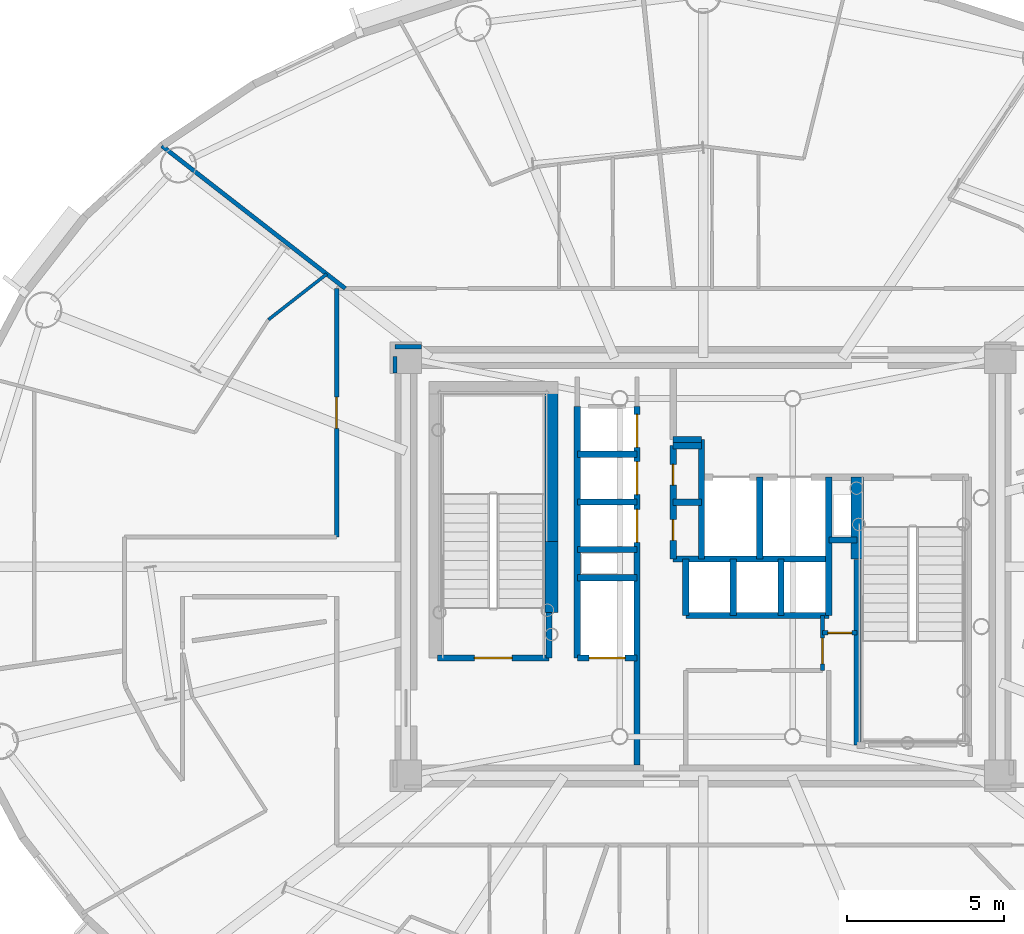
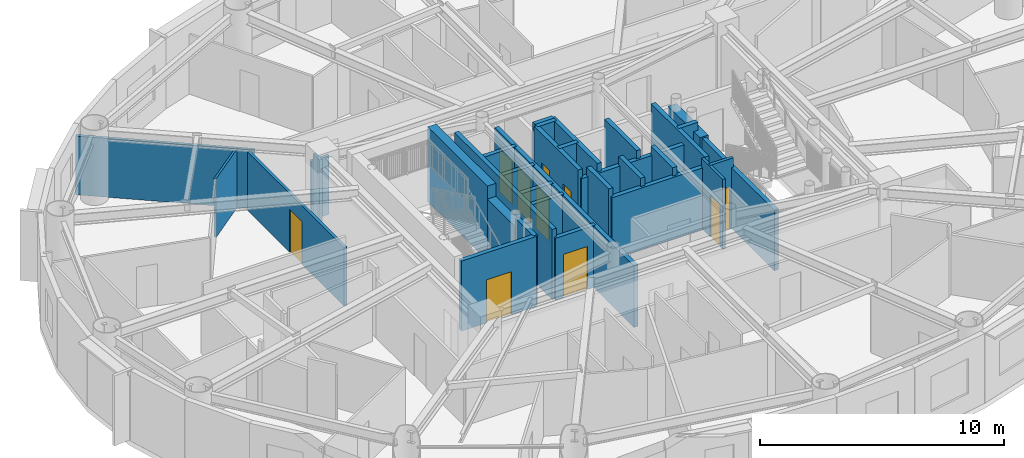
# One storey, part 10 of 20: 33 walls, 10 doors, 10 openings.
"""IFC4 building model written with IfcOpenShell, lengths in metres."""

from ifc_helpers import new_model, si_unit, direction, frame, frame_2d, origin, origin_2d, place, context, subcontext, project, spatial, rectangle, extrude, source, transform, mapped, material, layer, layer_set, type_object, element, fill, save


model = new_model("IFC4")

# Units and contexts
model_context = context("Model", 3, precision=1e-05, world=origin(), true_north=direction((0.0, 1.0)))
body_context = subcontext(model_context, "Body", "Model", "MODEL_VIEW")
ifc_project = project(units=[si_unit("LENGTHUNIT", "METRE"), si_unit("AREAUNIT", "SQUARE_METRE"), si_unit("VOLUMEUNIT", "CUBIC_METRE"), si_unit("PLANEANGLEUNIT", "RADIAN"), si_unit("MASSUNIT", "GRAM", prefix="KILO")], contexts=[model_context])

# Site, building, storey
site_placement = place(None, origin())
site = spatial("IfcSite", under=ifc_project, at=site_placement, CompositionType="ELEMENT")
building_placement = place(site_placement, origin())
building = spatial("IfcBuilding", under=site, at=building_placement, Name="Linh Dai School and Residence Tower", CompositionType="ELEMENT")
storey_placement = place(building_placement, frame((0.0, 0.0, 232.800048828125)))
storey = spatial("IfcBuildingStorey", under=building, at=storey_placement, Name="L57", CompositionType="ELEMENT", Elevation=232.800048828125)

# Wall
ifc_material_1 = material(Name="Autoclaved Aerated Concrete Blockwork", Category="masonry")
ifc_layer_1 = layer(ifc_material_1, 0.135009765625)
ifc_layer_set_1 = layer_set([ifc_layer_1], Name="Autoclaved Aerated Concrete Blockwork")
wall_type_1 = type_object("IfcWallType", Name="IW-CORR-135-EI90", PredefinedType="PARTITIONING", material=ifc_layer_set_1)
wall_1_placement = place(storey_placement, frame((18.79052734375, 40.38720703125, 0.0), z_axis=(0.0, 0.0, 1.0), x_axis=(0.789302404173, -0.614004653701, 0.0)))
element("IfcWall", 1, at=wall_1_placement, inside=storey, type_object=wall_type_1, Name="L57 Interior Partition Wall 012", PredefinedType="PARTITIONING", context=body_context, shape_type="SweptSolid", body=[
    extrude(rectangle(XDim=7.389892578125, YDim=0.135009765625, at=frame_2d((3.69482421875, 0.0))), origin(), (0.0, 0.0, 1.0), 2.93505859375),
])

# Wall, opening, door
wall_2_placement = place(storey_placement, frame((24.35009765625, 27.949951171875, 0.0), z_axis=(0.0, 0.0, 1.0), x_axis=(0.0, 1.0, 0.0)))
wall_2 = element("IfcWall", 2, at=wall_2_placement, inside=storey, type_object=wall_type_1, Name="L57 Interior Partition Wall 022", PredefinedType="PARTITIONING", context=body_context, shape_type="SweptSolid", body=[
    extrude(rectangle(XDim=7.900146484375, YDim=0.135009765625, at=frame_2d((3.9501953125, 0.0))), origin(), (0.0, 0.0, 1.0), 2.93505859375),
])
opening_1_placement = place(wall_2_placement, frame((3.449951171875, 0.0, 0.0)))
opening_1 = element("IfcOpeningElement", 3, at=opening_1_placement, cuts=wall_2, Name="Opening D03", PredefinedType="OPENING", context=body_context, shape_type="SweptSolid", body=[
    extrude(rectangle(XDim=1.0, YDim=2.14990234375, at=origin_2d()), frame((0.5, 0.07763671875, 1.074951171875), z_axis=(0.0, -1.0, 0.0), x_axis=(1.0, 0.0, 0.0)), (0.0, 0.0, 1.0), 0.155029296875),
])
ifc_material_2 = material(Name="Fire-Rated Solid Timber Entrance Door", Category="wood")
door_type_1 = type_object("IfcDoorType", Name="DR-FLAT-1000x2150-FD60S", OperationType="NOTDEFINED", PredefinedType="DOOR", material=ifc_material_2)
shared_shape_1 = source(origin(), body_context, "Body", "SweptSolid", [
    extrude(rectangle(XDim=1.0, YDim=2.14990234375, at=origin_2d()), frame((0.5, 0.02490234375, 1.074951171875), z_axis=(0.0, -1.0, 0.0), x_axis=(1.0, 0.0, 0.0)), (0.0, 0.0, 1.0), 0.050048828125),
])
door_1_placement = place(opening_1_placement, origin())
door_1 = element("IfcDoor", 4, at=door_1_placement, inside=storey, type_object=door_type_1, Name="L57 U5702 Apartment Entrance Door", OperationType="SINGLE_SWING_RIGHT", OverallHeight=2.14990234375, OverallWidth=1.0, PredefinedType="DOOR", context=body_context, shape_type="MappedRepresentation", body=[
    mapped(shared_shape_1, transform((0.0, 0.0, 0.0), x_axis=(1.0, 0.0, 0.0), y_axis=(0.0, 1.0, 0.0), z_axis=(0.0, 0.0, 1.0), scale=1.0)),
])
fill(opening_1, door_1)

wall_3_placement = place(storey_placement, frame((39.800048828125, 23.699951171875, 0.0), z_axis=(0.0, 0.0, 1.0), x_axis=(0.0, 1.0, 0.0)))
wall_3 = element("IfcWall", 5, at=wall_3_placement, inside=storey, type_object=wall_type_1, Name="L57 Interior Partition Wall 067", PredefinedType="PARTITIONING", context=body_context, shape_type="SweptSolid", body=[
    extrude(rectangle(XDim=1.75, YDim=0.135009765625, at=frame_2d((0.875, 0.0))), origin(), (0.0, 0.0, 1.0), 3.5),
])
opening_2_placement = place(wall_3_placement, frame((0.2099609375, 0.0, 0.0)))
opening_2 = element("IfcOpeningElement", 6, at=opening_2_placement, cuts=wall_3, Name="Opening D06", PredefinedType="OPENING", context=body_context, shape_type="SweptSolid", body=[
    extrude(rectangle(XDim=0.820068359375, YDim=2.10009765625, at=origin_2d()), frame((0.41015625, 0.07763671875, 1.050048828125), z_axis=(0.0, -1.0, 0.0), x_axis=(1.0, 0.0, 0.0)), (0.0, 0.0, 1.0), 0.155029296875),
])
ifc_material_3 = material(Name="Moisture-Resistant Timber Bathroom Door", Category="wood")
door_type_2 = type_object("IfcDoorType", Name="DR-WET-820x2100", OperationType="NOTDEFINED", PredefinedType="DOOR", material=ifc_material_3)
shared_shape_2 = source(origin(), body_context, "Body", "SweptSolid", [
    extrude(rectangle(XDim=0.820068359375, YDim=2.10009765625, at=origin_2d()), frame((0.41015625, 0.02490234375, 1.050048828125), z_axis=(0.0, -1.0, 0.0), x_axis=(1.0, 0.0, 0.0)), (0.0, 0.0, 1.0), 0.050048828125),
])
door_2_placement = place(opening_2_placement, origin())
door_2 = element("IfcDoor", 7, at=door_2_placement, inside=storey, type_object=door_type_2, Name="L57 SE Metering Closet Door", OperationType="SINGLE_SWING_LEFT", OverallHeight=2.10009765625, OverallWidth=0.820068359375, PredefinedType="DOOR", context=body_context, shape_type="MappedRepresentation", body=[
    mapped(shared_shape_2, transform((0.0, 0.0, 0.0), x_axis=(1.0, 0.0, 0.0), y_axis=(0.0, 1.0, 0.0), z_axis=(0.0, 0.0, 1.0), scale=1.0)),
])
fill(opening_2, door_2)

# Walls
wall_4_placement = place(storey_placement, frame((27.0400390625, 34.0, 0.0), z_axis=(0.0, 0.0, 1.0), x_axis=(-1.0, 0.0, 0.0)))
element("IfcWall", 8, at=wall_4_placement, inside=storey, type_object=wall_type_1, Name="L57 Interior Partition Wall 107", PredefinedType="PARTITIONING", context=body_context, shape_type="SweptSolid", body=[
    extrude(rectangle(XDim=0.840087890625, YDim=0.135009765625, at=frame_2d((0.419921875, 0.0))), origin(), (0.0, 0.0, 1.0), 2.93505859375),
])
wall_5_placement = place(storey_placement, frame((26.199951171875, 33.6923828125, 0.0), z_axis=(0.0, 0.0, 1.0), x_axis=(0.0, -1.0, 0.0)))
element("IfcWall", 9, at=wall_5_placement, inside=storey, type_object=wall_type_1, Name="L57 Interior Partition Wall 108", PredefinedType="PARTITIONING", context=body_context, shape_type="SweptSolid", body=[
    extrude(rectangle(XDim=0.532470703125, YDim=0.135009765625, at=frame_2d((0.26611328125, 0.0))), origin(), (0.0, 0.0, 1.0), 3.5),
])

# Wall, opening, door
ifc_layer_2 = layer(ifc_material_1, 0.14990234375)
ifc_layer_set_2 = layer_set([ifc_layer_2], Name="Autoclaved Aerated Concrete Blockwork")
wall_type_2 = type_object("IfcWallType", Name="IW-SCH-150-EI60", PredefinedType="PARTITIONING", material=ifc_layer_set_2)
wall_6_placement = place(storey_placement, frame((39.800048828125, 24.89990234375, 0.0), z_axis=(0.0, 0.0, 1.0), x_axis=(1.0, 0.0, 0.0)))
wall_6 = element("IfcWall", 10, at=wall_6_placement, inside=storey, type_object=wall_type_2, Name="L57 Interior Partition Wall 068", PredefinedType="PARTITIONING", context=body_context, shape_type="SweptSolid", body=[
    extrude(rectangle(XDim=1.099853515625, YDim=0.14990234375, at=frame_2d((0.5498046875, 0.0))), origin(), (0.0, 0.0, 1.0), 3.5),
])
opening_3_placement = place(wall_6_placement, frame((0.169921875, 0.0, 0.0)))
opening_3 = element("IfcOpeningElement", 11, at=opening_3_placement, cuts=wall_6, Name="Opening D08", PredefinedType="OPENING", context=body_context, shape_type="SweptSolid", body=[
    extrude(rectangle(XDim=0.760009765625, YDim=2.10009765625, at=origin_2d()), frame((0.3798828125, 0.0849609375, 1.050048828125), z_axis=(0.0, -1.0, 0.0), x_axis=(1.0, 0.0, 0.0)), (0.0, 0.0, 1.0), 0.169921875),
])
ifc_material_4 = material(Name="Engineered Timber Closet and Study Door", Category="wood")
door_type_3 = type_object("IfcDoorType", Name="DR-CMP-760x2100", OperationType="NOTDEFINED", PredefinedType="DOOR", material=ifc_material_4)
shared_shape_3 = source(origin(), body_context, "Body", "SweptSolid", [
    extrude(rectangle(XDim=0.760009765625, YDim=2.10009765625, at=origin_2d()), frame((0.3798828125, 0.02490234375, 1.050048828125), z_axis=(0.0, -1.0, 0.0), x_axis=(1.0, 0.0, 0.0)), (0.0, 0.0, 1.0), 0.050048828125),
])
door_3_placement = place(opening_3_placement, origin())
door_3 = element("IfcDoor", 12, at=door_3_placement, inside=storey, type_object=door_type_3, Name="L57 NE Cleaners Store Door", OperationType="SINGLE_SWING_RIGHT", OverallHeight=2.10009765625, OverallWidth=0.760009765625, PredefinedType="DOOR", context=body_context, shape_type="MappedRepresentation", body=[
    mapped(shared_shape_3, transform((0.0, 0.0, 0.0), x_axis=(1.0, 0.0, 0.0), y_axis=(0.0, 1.0, 0.0), z_axis=(0.0, 0.0, 1.0), scale=1.0)),
])
fill(opening_3, door_3)

ifc_material_5 = material(Name="Concrete B45 (C35/45)", Category="concrete")
ifc_layer_3 = layer(ifc_material_5, 0.199951171875)
ifc_layer_set_3 = layer_set([ifc_layer_3], Name="Concrete B45 (C35/45)")
wall_type_3 = type_object("IfcWallType", Name="IW-SHAFT-200-EI120", PredefinedType="PARTITIONING", material=ifc_layer_set_3)
wall_7_placement = place(storey_placement, frame((27.56005859375, 24.10009765625, 0.0), z_axis=(0.0, 0.0, 1.0), x_axis=(1.0, 0.0, 0.0)))
wall_7 = element("IfcWall", 13, at=wall_7_placement, inside=storey, type_object=wall_type_3, Name="L57 Interior Partition Wall 026", PredefinedType="PARTITIONING", context=body_context, shape_type="SweptSolid", body=[
    extrude(rectangle(XDim=3.5400390625, YDim=0.199951171875, at=frame_2d((1.77001953125, 0.0))), origin(), (0.0, 0.0, 1.0), 3.5),
])
opening_4_placement = place(wall_7_placement, frame((1.169921875, 0.0, 0.0)))
opening_4 = element("IfcOpeningElement", 14, at=opening_4_placement, cuts=wall_7, Name="Opening D01", PredefinedType="OPENING", context=body_context, shape_type="SweptSolid", body=[
    extrude(rectangle(XDim=1.199951171875, YDim=2.14990234375, at=origin_2d()), frame((0.60009765625, 0.10986328125, 1.074951171875), z_axis=(0.0, -1.0, 0.0), x_axis=(1.0, 0.0, 0.0)), (0.0, 0.0, 1.0), 0.219970703125),
])
ifc_material_6 = material(Name="Fire-Rated Steel Door Leaf", Category="steel")
door_type_4 = type_object("IfcDoorType", Name="DR-STAIR-1200x2150-FD90S", OperationType="NOTDEFINED", PredefinedType="DOOR", material=ifc_material_6)
shared_shape_4 = source(origin(), body_context, "Body", "SweptSolid", [
    extrude(rectangle(XDim=1.199951171875, YDim=2.14990234375, at=origin_2d()), frame((0.60009765625, 0.02490234375, 1.074951171875), z_axis=(0.0, -1.0, 0.0), x_axis=(1.0, 0.0, 0.0)), (0.0, 0.0, 1.0), 0.050048828125),
])
door_4_placement = place(opening_4_placement, origin())
door_4 = element("IfcDoor", 15, at=door_4_placement, inside=storey, type_object=door_type_4, Name="L57 Core Smokeproof Exit Stair ST1 Door", OperationType="SINGLE_SWING_RIGHT", OverallHeight=2.14990234375, OverallWidth=1.199951171875, PredefinedType="DOOR", context=body_context, shape_type="MappedRepresentation", body=[
    mapped(shared_shape_4, transform((0.0, 0.0, 0.0), x_axis=(1.0, 0.0, 0.0), y_axis=(0.0, 1.0, 0.0), z_axis=(0.0, 0.0, 1.0), scale=1.0)),
])
fill(opening_4, door_4)

# Walls
wall_8_placement = place(storey_placement, frame((31.10009765625, 24.10009765625, 0.0), z_axis=(0.0, 0.0, 1.0), x_axis=(0.0, 1.0, 0.0)))
element("IfcWall", 16, at=wall_8_placement, inside=storey, type_object=wall_type_3, Name="L57 Interior Partition Wall 033", PredefinedType="PARTITIONING", context=body_context, shape_type="SweptSolid", body=[
    extrude(rectangle(XDim=1.43994140625, YDim=0.199951171875, at=frame_2d((0.719970703125, 0.0))), origin(), (0.0, 0.0, 1.0), 3.5),
])
wall_9_placement = place(storey_placement, frame((32.0, 24.10009765625, 0.0), z_axis=(0.0, 0.0, 1.0), x_axis=(0.0, 1.0, 0.0)))
element("IfcWall", 17, at=wall_9_placement, inside=storey, type_object=wall_type_3, Name="L57 Interior Partition Wall 035", PredefinedType="PARTITIONING", context=body_context, shape_type="SweptSolid", body=[
    extrude(rectangle(XDim=8.0, YDim=0.199951171875, at=frame_2d((4.0, 0.0))), origin(), (0.0, 0.0, 1.0), 3.5),
])

# Wall, opening, door
wall_10_placement = place(storey_placement, frame((32.0, 24.10009765625, 0.0), z_axis=(0.0, 0.0, 1.0), x_axis=(1.0, 0.0, 0.0)))
wall_10 = element("IfcWall", 18, at=wall_10_placement, inside=storey, type_object=wall_type_3, Name="L57 Interior Partition Wall 036", PredefinedType="PARTITIONING", context=body_context, shape_type="SweptSolid", body=[
    extrude(rectangle(XDim=1.89990234375, YDim=0.199951171875, at=frame_2d((0.949951171875, 0.0))), origin(), (0.0, 0.0, 1.0), 3.0849609375),
])
opening_5_placement = place(wall_10_placement, frame((0.375, 0.0, 0.0)))
opening_5 = element("IfcOpeningElement", 19, at=opening_5_placement, cuts=wall_10, Name="Opening LD-FF2", PredefinedType="OPENING", context=body_context, shape_type="SweptSolid", body=[
    extrude(rectangle(XDim=1.14990234375, YDim=2.14990234375, at=origin_2d()), frame((0.574951171875, 0.10986328125, 1.074951171875), z_axis=(0.0, -1.0, 0.0), x_axis=(1.0, 0.0, 0.0)), (0.0, 0.0, 1.0), 0.219970703125),
])
ifc_material_7 = material(Name="Fire-Rated Stainless Steel Firefighting Lift Door", Category="steel")
door_type_5 = type_object("IfcDoorType", Name="DR-LD-FF-1150x2150-FD120", OperationType="DOUBLE_DOOR_SLIDING", PredefinedType="USERDEFINED", material=ifc_material_7)
shared_shape_5 = source(origin(), body_context, "Body", "SweptSolid", [
    extrude(rectangle(XDim=1.14990234375, YDim=2.14990234375, at=origin_2d()), frame((0.574951171875, 0.02490234375, 1.074951171875), z_axis=(0.0, -1.0, 0.0), x_axis=(1.0, 0.0, 0.0)), (0.0, 0.0, 1.0), 0.050048828125),
])
door_5_placement = place(opening_5_placement, origin())
door_5 = element("IfcDoor", 20, at=door_5_placement, inside=storey, type_object=door_type_5, Name="L57 Lift FF2 Sliding Landing Door", ObjectType="LANDING DOOR", OperationType="DOUBLE_DOOR_SLIDING", OverallHeight=2.14990234375, OverallWidth=1.14990234375, PredefinedType="USERDEFINED", context=body_context, shape_type="MappedRepresentation", body=[
    mapped(shared_shape_5, transform((0.0, 0.0, 0.0), x_axis=(1.0, 0.0, 0.0), y_axis=(0.0, 1.0, 0.0), z_axis=(0.0, 0.0, 1.0), scale=1.0)),
])
fill(opening_5, door_5)

# Walls
for number, where, z_axis, x_axis, name in (
    (21, (32.0, 26.64990234375, 0.0), (0.0, 0.0, 1.0), (1.0, 0.0, 0.0), "L57 Interior Partition Wall 037"),
    (22, (32.0, 27.550048828125, 0.0), (0.0, 0.0, 1.0), (1.0, 0.0, 0.0), "L57 Interior Partition Wall 038"),
    (23, (32.0, 29.06005859375, 0.0), (0.0, 0.0, 1.0), (1.0, 0.0, 0.0), "L57 Interior Partition Wall 039"),
    (24, (32.0, 30.580078125, 0.0), (0.0, 0.0, 1.0), (1.0, 0.0, 0.0), "L57 Interior Partition Wall 040"),
):
    element("IfcWall", number, at=place(storey_placement, frame(where, z_axis=z_axis, x_axis=x_axis)), inside=storey, type_object=wall_type_3, Name=name, PredefinedType="PARTITIONING", context=body_context, shape_type="SweptSolid", body=[
        extrude(rectangle(XDim=1.89990234375, YDim=0.199951171875, at=frame_2d((0.949951171875, 0.0))), origin(), (0.0, 0.0, 1.0), 3.0849609375),
    ])

# Wall, openings, doors
wall_11_placement = place(storey_placement, frame((33.89990234375, 20.699951171875, 0.0), z_axis=(0.0, 0.0, 1.0), x_axis=(0.0, 1.0, 0.0)))
wall_11 = element("IfcWall", 25, at=wall_11_placement, inside=storey, type_object=wall_type_3, Name="L57 Interior Partition Wall 043", PredefinedType="PARTITIONING", context=body_context, shape_type="SweptSolid", body=[
    extrude(rectangle(XDim=11.400146484375, YDim=0.199951171875, at=frame_2d((5.7001953125, 0.0))), origin(), (0.0, 0.0, 1.0), 3.0849609375),
])
opening_6_placement = place(wall_11_placement, frame((7.080078125, 0.0, 0.0)))
opening_6 = element("IfcOpeningElement", 26, at=opening_6_placement, cuts=wall_11, Name="Opening LD-PL4", PredefinedType="OPENING", context=body_context, shape_type="SweptSolid", body=[
    extrude(rectangle(XDim=1.050048828125, YDim=2.14990234375, at=origin_2d()), frame((0.52490234375, 0.10986328125, 1.074951171875), z_axis=(0.0, -1.0, 0.0), x_axis=(1.0, 0.0, 0.0)), (0.0, 0.0, 1.0), 0.219970703125),
])
opening_7_placement = place(wall_11_placement, frame((8.594970703125, 0.0, 0.0)))
opening_7 = element("IfcOpeningElement", 27, at=opening_7_placement, cuts=wall_11, Name="Opening LD-PL5", PredefinedType="OPENING", context=body_context, shape_type="SweptSolid", body=[
    extrude(rectangle(XDim=1.050048828125, YDim=2.14990234375, at=origin_2d()), frame((0.52490234375, 0.10986328125, 1.074951171875), z_axis=(0.0, -1.0, 0.0), x_axis=(1.0, 0.0, 0.0)), (0.0, 0.0, 1.0), 0.219970703125),
])
opening_8_placement = place(wall_11_placement, frame((10.094970703125, 0.0, 0.0)))
opening_8 = element("IfcOpeningElement", 28, at=opening_8_placement, cuts=wall_11, Name="Opening LD-PL6", PredefinedType="OPENING", context=body_context, shape_type="SweptSolid", body=[
    extrude(rectangle(XDim=1.050048828125, YDim=2.14990234375, at=origin_2d()), frame((0.52490234375, 0.10986328125, 1.074951171875), z_axis=(0.0, -1.0, 0.0), x_axis=(1.0, 0.0, 0.0)), (0.0, 0.0, 1.0), 0.219970703125),
])
ifc_material_8 = material(Name="Brushed Stainless Steel Lift Landing Door", Category="steel")
door_type_6 = type_object("IfcDoorType", Name="DR-LD-PASS-1050x2150", OperationType="DOUBLE_DOOR_SLIDING", PredefinedType="USERDEFINED", material=ifc_material_8)
shared_shape_6 = source(origin(), body_context, "Body", "SweptSolid", [
    extrude(rectangle(XDim=1.050048828125, YDim=2.14990234375, at=origin_2d()), frame((0.52490234375, 0.02490234375, 1.074951171875), z_axis=(0.0, -1.0, 0.0), x_axis=(1.0, 0.0, 0.0)), (0.0, 0.0, 1.0), 0.050048828125),
])
door_6_placement = place(opening_6_placement, origin())
door_6 = element("IfcDoor", 29, at=door_6_placement, inside=storey, type_object=door_type_6, Name="L57 Lift PL4 Sliding Landing Door", ObjectType="LANDING DOOR", OperationType="DOUBLE_DOOR_SLIDING", OverallHeight=2.14990234375, OverallWidth=1.050048828125, PredefinedType="USERDEFINED", context=body_context, shape_type="MappedRepresentation", body=[
    mapped(shared_shape_6, transform((0.0, 0.0, 0.0), x_axis=(1.0, 0.0, 0.0), y_axis=(0.0, 1.0, 0.0), z_axis=(0.0, 0.0, 1.0), scale=1.0)),
])
fill(opening_6, door_6)
door_7_placement = place(opening_7_placement, origin())
door_7 = element("IfcDoor", 30, at=door_7_placement, inside=storey, type_object=door_type_6, Name="L57 Lift PL5 Sliding Landing Door", ObjectType="LANDING DOOR", OperationType="DOUBLE_DOOR_SLIDING", OverallHeight=2.14990234375, OverallWidth=1.050048828125, PredefinedType="USERDEFINED", context=body_context, shape_type="MappedRepresentation", body=[
    mapped(shared_shape_6, transform((0.0, 0.0, 0.0), x_axis=(1.0, 0.0, 0.0), y_axis=(0.0, 1.0, 0.0), z_axis=(0.0, 0.0, 1.0), scale=1.0)),
])
fill(opening_7, door_7)
door_8_placement = place(opening_8_placement, origin())
door_8 = element("IfcDoor", 31, at=door_8_placement, inside=storey, type_object=door_type_6, Name="L57 Lift PL6 Sliding Landing Door", ObjectType="LANDING DOOR", OperationType="DOUBLE_DOOR_SLIDING", OverallHeight=2.14990234375, OverallWidth=1.050048828125, PredefinedType="USERDEFINED", context=body_context, shape_type="MappedRepresentation", body=[
    mapped(shared_shape_6, transform((0.0, 0.0, 0.0), x_axis=(1.0, 0.0, 0.0), y_axis=(0.0, 1.0, 0.0), z_axis=(0.0, 0.0, 1.0), scale=1.0)),
])
fill(opening_8, door_8)

wall_12_placement = place(storey_placement, frame((35.050048828125, 27.25, 0.0), z_axis=(0.0, 0.0, 1.0), x_axis=(0.0, 1.0, 0.0)))
wall_12 = element("IfcWall", 32, at=wall_12_placement, inside=storey, type_object=wall_type_3, Name="L57 Interior Partition Wall 046", PredefinedType="PARTITIONING", context=body_context, shape_type="SweptSolid", body=[
    extrude(rectangle(XDim=3.60009765625, YDim=0.199951171875, at=frame_2d((1.800048828125, 0.0))), origin(), (0.0, 0.0, 1.0), 3.5),
])
opening_9_placement = place(wall_12_placement, frame((0.590087890625, 0.0, 0.0)))
opening_9 = element("IfcOpeningElement", 33, at=opening_9_placement, cuts=wall_12, Name="Opening AD1", PredefinedType="OPENING", context=body_context, shape_type="SweptSolid", body=[
    extrude(rectangle(XDim=0.659912109375, YDim=2.050048828125, at=origin_2d()), frame((0.330078125, 0.10986328125, 1.02490234375), z_axis=(0.0, -1.0, 0.0), x_axis=(1.0, 0.0, 0.0)), (0.0, 0.0, 1.0), 0.219970703125),
])
opening_10_placement = place(wall_12_placement, frame((2.35009765625, 0.0, 0.0)))
opening_10 = element("IfcOpeningElement", 34, at=opening_10_placement, cuts=wall_12, Name="Opening AD1", PredefinedType="OPENING", context=body_context, shape_type="SweptSolid", body=[
    extrude(rectangle(XDim=0.659912109375, YDim=2.050048828125, at=origin_2d()), frame((0.330078125, 0.10986328125, 1.02490234375), z_axis=(0.0, -1.0, 0.0), x_axis=(1.0, 0.0, 0.0)), (0.0, 0.0, 1.0), 0.219970703125),
])
ifc_material_9 = material(Name="Fire-Rated Steel Riser Access Door", Category="steel")
door_type_7 = type_object("IfcDoorType", Name="DR-ACC-660x2050-FD90S", OperationType="NOTDEFINED", PredefinedType="USERDEFINED", material=ifc_material_9)
shared_shape_7 = source(origin(), body_context, "Body", "SweptSolid", [
    extrude(rectangle(XDim=0.659912109375, YDim=2.050048828125, at=origin_2d()), frame((0.330078125, 0.02490234375, 1.02490234375), z_axis=(0.0, -1.0, 0.0), x_axis=(1.0, 0.0, 0.0)), (0.0, 0.0, 1.0), 0.050048828125),
])
door_9_placement = place(opening_9_placement, origin())
door_9 = element("IfcDoor", 35, at=door_9_placement, inside=storey, type_object=door_type_7, Name="L57 Telecom and Data Riser Access Door", ObjectType="ACCESS DOOR", OperationType="SINGLE_SWING_RIGHT", OverallHeight=2.050048828125, OverallWidth=0.659912109375, PredefinedType="USERDEFINED", context=body_context, shape_type="MappedRepresentation", body=[
    mapped(shared_shape_7, transform((0.0, 0.0, 0.0), x_axis=(1.0, 0.0, 0.0), y_axis=(0.0, 1.0, 0.0), z_axis=(0.0, 0.0, 1.0), scale=1.0)),
])
fill(opening_9, door_9)
door_10_placement = place(opening_10_placement, origin())
door_10 = element("IfcDoor", 36, at=door_10_placement, inside=storey, type_object=door_type_7, Name="L57 Mechanical and Plumbing Riser Access Door", ObjectType="ACCESS DOOR", OperationType="SINGLE_SWING_LEFT", OverallHeight=2.050048828125, OverallWidth=0.659912109375, PredefinedType="USERDEFINED", context=body_context, shape_type="MappedRepresentation", body=[
    mapped(shared_shape_7, transform((0.0, 0.0, 0.0), x_axis=(1.0, 0.0, 0.0), y_axis=(0.0, 1.0, 0.0), z_axis=(0.0, 0.0, 1.0), scale=1.0)),
])
fill(opening_10, door_10)

# Walls
wall_13_placement = place(storey_placement, frame((35.050048828125, 27.25, 0.0), z_axis=(0.0, 0.0, 1.0), x_axis=(1.0, 0.0, 0.0)))
element("IfcWall", 37, at=wall_13_placement, inside=storey, type_object=wall_type_3, Name="L57 Interior Partition Wall 047", PredefinedType="PARTITIONING", context=body_context, shape_type="SweptSolid", body=[
    extrude(rectangle(XDim=4.949951171875, YDim=0.199951171875, at=frame_2d((2.47509765625, 0.0))), origin(), (0.0, 0.0, 1.0), 3.0849609375),
])
for number, where, z_axis, x_axis, name in (
    (38, (35.050048828125, 29.050048828125, 0.0), (0.0, 0.0, 1.0), (1.0, 0.0, 0.0), "L57 Interior Partition Wall 048"),
    (39, (35.050048828125, 30.85009765625, 0.0), (0.0, 0.0, 1.0), (1.0, 0.0, 0.0), "L57 Interior Partition Wall 049"),
    (40, (35.050048828125, 31.050048828125, 0.0), (0.0, 0.0, 1.0), (1.0, 0.0, 0.0), "L57 Interior Partition Wall 051"),
):
    element("IfcWall", number, at=place(storey_placement, frame(where, z_axis=z_axis, x_axis=x_axis)), inside=storey, type_object=wall_type_3, Name=name, PredefinedType="PARTITIONING", context=body_context, shape_type="SweptSolid", body=[
        extrude(rectangle(XDim=0.89990234375, YDim=0.199951171875, at=frame_2d((0.449951171875, 0.0))), origin(), (0.0, 0.0, 1.0), 3.5),
    ])
wall_14_placement = place(storey_placement, frame((35.449951171875, 25.449951171875, 0.0), z_axis=(0.0, 0.0, 1.0), x_axis=(0.0, 1.0, 0.0)))
element("IfcWall", 41, at=wall_14_placement, inside=storey, type_object=wall_type_3, Name="L57 Interior Partition Wall 054", PredefinedType="PARTITIONING", context=body_context, shape_type="SweptSolid", body=[
    extrude(rectangle(XDim=1.800048828125, YDim=0.199951171875, at=frame_2d((0.89990234375, 0.0))), origin(), (0.0, 0.0, 1.0), 3.5),
])
wall_15_placement = place(storey_placement, frame((35.449951171875, 25.449951171875, 0.0), z_axis=(0.0, 0.0, 1.0), x_axis=(1.0, 0.0, 0.0)))
element("IfcWall", 42, at=wall_15_placement, inside=storey, type_object=wall_type_3, Name="L57 Interior Partition Wall 055", PredefinedType="PARTITIONING", context=body_context, shape_type="SweptSolid", body=[
    extrude(rectangle(XDim=4.550048828125, YDim=0.199951171875, at=frame_2d((2.27490234375, 0.0))), origin(), (0.0, 0.0, 1.0), 3.0849609375),
])
wall_16_placement = place(storey_placement, frame((35.949951171875, 27.25, 0.0), z_axis=(0.0, 0.0, 1.0), x_axis=(0.0, 1.0, 0.0)))
element("IfcWall", 43, at=wall_16_placement, inside=storey, type_object=wall_type_3, Name="L57 Interior Partition Wall 056", PredefinedType="PARTITIONING", context=body_context, shape_type="SweptSolid", body=[
    extrude(rectangle(XDim=3.800048828125, YDim=0.199951171875, at=frame_2d((1.89990234375, 0.0))), origin(), (0.0, 0.0, 1.0), 3.5),
])
wall_17_placement = place(storey_placement, frame((36.9599609375, 25.449951171875, 0.0), z_axis=(0.0, 0.0, 1.0), x_axis=(0.0, 1.0, 0.0)))
element("IfcWall", 44, at=wall_17_placement, inside=storey, type_object=wall_type_3, Name="L57 Interior Partition Wall 062", PredefinedType="PARTITIONING", context=body_context, shape_type="SweptSolid", body=[
    extrude(rectangle(XDim=1.800048828125, YDim=0.199951171875, at=frame_2d((0.89990234375, 0.0))), origin(), (0.0, 0.0, 1.0), 3.5),
])
wall_18_placement = place(storey_placement, frame((37.800048828125, 27.25, 0.0), z_axis=(0.0, 0.0, 1.0), x_axis=(0.0, 1.0, 0.0)))
element("IfcWall", 45, at=wall_18_placement, inside=storey, type_object=wall_type_3, Name="L57 Interior Partition Wall 064", PredefinedType="PARTITIONING", context=body_context, shape_type="SweptSolid", body=[
    extrude(rectangle(XDim=2.60009765625, YDim=0.199951171875, at=frame_2d((1.300048828125, 0.0))), origin(), (0.0, 0.0, 1.0), 3.5),
])
wall_19_placement = place(storey_placement, frame((38.47998046875, 25.449951171875, 0.0), z_axis=(0.0, 0.0, 1.0), x_axis=(0.0, 1.0, 0.0)))
element("IfcWall", 46, at=wall_19_placement, inside=storey, type_object=wall_type_3, Name="L57 Interior Partition Wall 065", PredefinedType="PARTITIONING", context=body_context, shape_type="SweptSolid", body=[
    extrude(rectangle(XDim=1.800048828125, YDim=0.199951171875, at=frame_2d((0.89990234375, 0.0))), origin(), (0.0, 0.0, 1.0), 3.5),
])
wall_20_placement = place(storey_placement, frame((40.0, 25.449951171875, 0.0), z_axis=(0.0, 0.0, 1.0), x_axis=(0.0, 1.0, 0.0)))
element("IfcWall", 47, at=wall_20_placement, inside=storey, type_object=wall_type_3, Name="L57 Interior Partition Wall 069", PredefinedType="PARTITIONING", context=body_context, shape_type="SweptSolid", body=[
    extrude(rectangle(XDim=4.400146484375, YDim=0.199951171875, at=frame_2d((2.2001953125, 0.0))), origin(), (0.0, 0.0, 1.0), 3.5),
])
wall_21_placement = place(storey_placement, frame((40.0, 27.85009765625, 0.0), z_axis=(0.0, 0.0, 1.0), x_axis=(1.0, 0.0, 0.0)))
element("IfcWall", 48, at=wall_21_placement, inside=storey, type_object=wall_type_3, Name="L57 Interior Partition Wall 070", PredefinedType="PARTITIONING", context=body_context, shape_type="SweptSolid", body=[
    extrude(rectangle(XDim=0.89990234375, YDim=0.199951171875, at=frame_2d((0.449951171875, 0.0))), origin(), (0.0, 0.0, 1.0), 3.5),
])
wall_22_placement = place(storey_placement, frame((40.89990234375, 21.330078125, 0.0), z_axis=(0.0, 0.0, 1.0), x_axis=(0.0, 1.0, 0.0)))
element("IfcWall", 49, at=wall_22_placement, inside=storey, type_object=wall_type_3, Name="L57 Interior Partition Wall 071", PredefinedType="PARTITIONING", context=body_context, shape_type="SweptSolid", body=[
    extrude(rectangle(XDim=5.909912109375, YDim=0.199951171875, at=frame_2d((2.955078125, 0.0))), origin(), (0.0, 0.0, 1.0), 3.034912109375),
])
ifc_material_10 = material(Name="Gypsum Plasterboard Acoustic Stud Partition", Category="masonry")
ifc_layer_4 = layer(ifc_material_10, 0.10009765625)
ifc_layer_set_4 = layer_set([ifc_layer_4], Name="Gypsum Plasterboard Acoustic Stud Partition")
wall_type_4 = type_object("IfcWallType", Name="IW-UNIT-100", PredefinedType="PARTITIONING", material=ifc_layer_set_4)
wall_23_placement = place(storey_placement, frame((22.181884765625, 34.86083984375, 0.0), z_axis=(0.0, 0.0, 1.0), x_axis=(0.78737344739, 0.616476320994, 0.0)))
element("IfcWall", 50, at=wall_23_placement, inside=storey, type_object=wall_type_4, Name="L57 Interior Partition Wall 018", PredefinedType="PARTITIONING", context=body_context, shape_type="SweptSolid", body=[
    extrude(rectangle(XDim=2.35009765625, YDim=0.10009765625, at=frame_2d((1.175048828125, 0.0))), origin(), (0.0, 0.0, 1.0), 2.93505859375),
])
ifc_layer_5 = layer(ifc_material_5, 0.39990234375)
ifc_layer_set_5 = layer_set([ifc_layer_5], Name="Concrete B45 (C35/45)")
wall_type_5 = type_object("IfcWallType", Name="WL-CORE400", PredefinedType="SHEAR", material=ifc_layer_set_5)
wall_24_placement = place(storey_placement, frame((31.179931640625, 27.800048828125, 0.0), z_axis=(0.0, 0.0, 1.0), x_axis=(0.0, 1.0, 0.0)))
element("IfcWall", 51, at=wall_24_placement, inside=storey, type_object=wall_type_5, Name="L57 Core Stair ST1 Bearing Wall E", PredefinedType="SHEAR", context=body_context, shape_type="SweptSolid", body=[
    extrude(rectangle(XDim=4.89990234375, YDim=0.39990234375, at=frame_2d((2.449951171875, 0.0))), origin(), (0.0, 0.0, 1.0), 3.75),
])
wall_25_placement = place(storey_placement, frame((31.179931640625, 25.550048828125, 0.0), z_axis=(0.0, 0.0, 1.0), x_axis=(0.0, 1.0, 0.0)))
element("IfcWall", 52, at=wall_25_placement, inside=storey, type_object=wall_type_5, Name="L57 Internal Core Shear Wall IW", PredefinedType="SHEAR", context=body_context, shape_type="SweptSolid", body=[
    extrude(rectangle(XDim=2.25, YDim=0.39990234375, at=frame_2d((1.125, 0.0))), origin(), (0.0, 0.0, 1.0), 3.099853515625),
])
wall_26_placement = place(storey_placement, frame((40.89990234375, 27.25, 0.0), z_axis=(0.0, 0.0, 1.0), x_axis=(0.0, 1.0, 0.0)))
element("IfcWall", 53, at=wall_26_placement, inside=storey, type_object=wall_type_5, Name="L57 Internal Core Shear Wall IE", PredefinedType="SHEAR", context=body_context, shape_type="SweptSolid", body=[
    extrude(rectangle(XDim=2.60009765625, YDim=0.39990234375, at=frame_2d((1.300048828125, 0.0))), origin(), (0.0, 0.0, 1.0), 3.099853515625),
])

save(model, "model.ifc")
